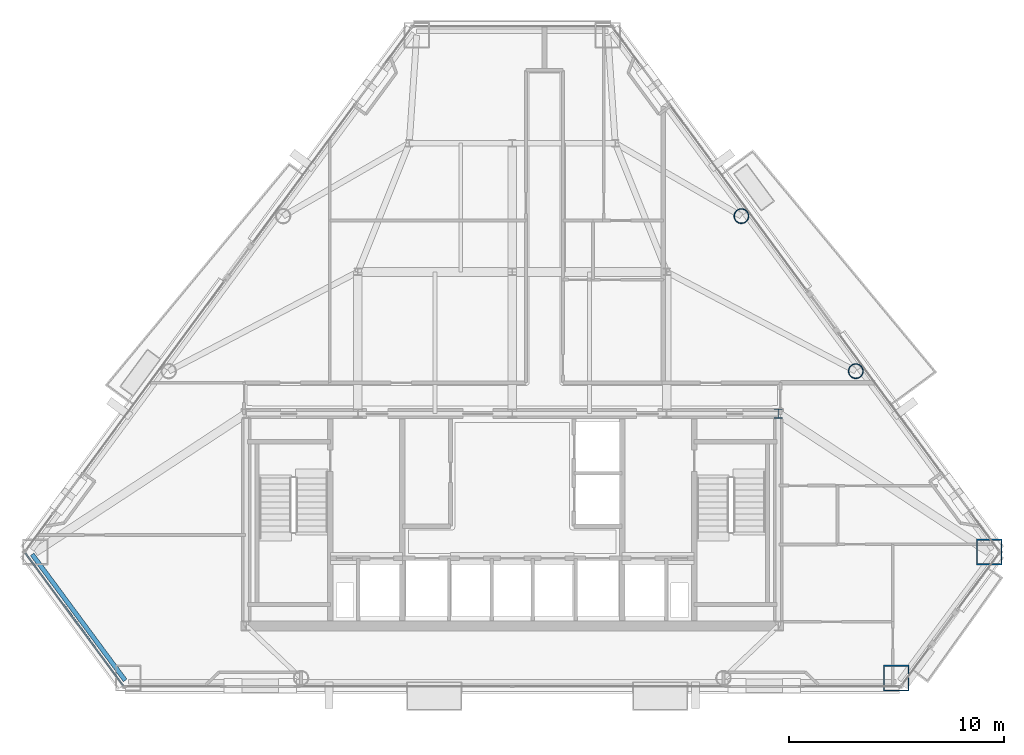
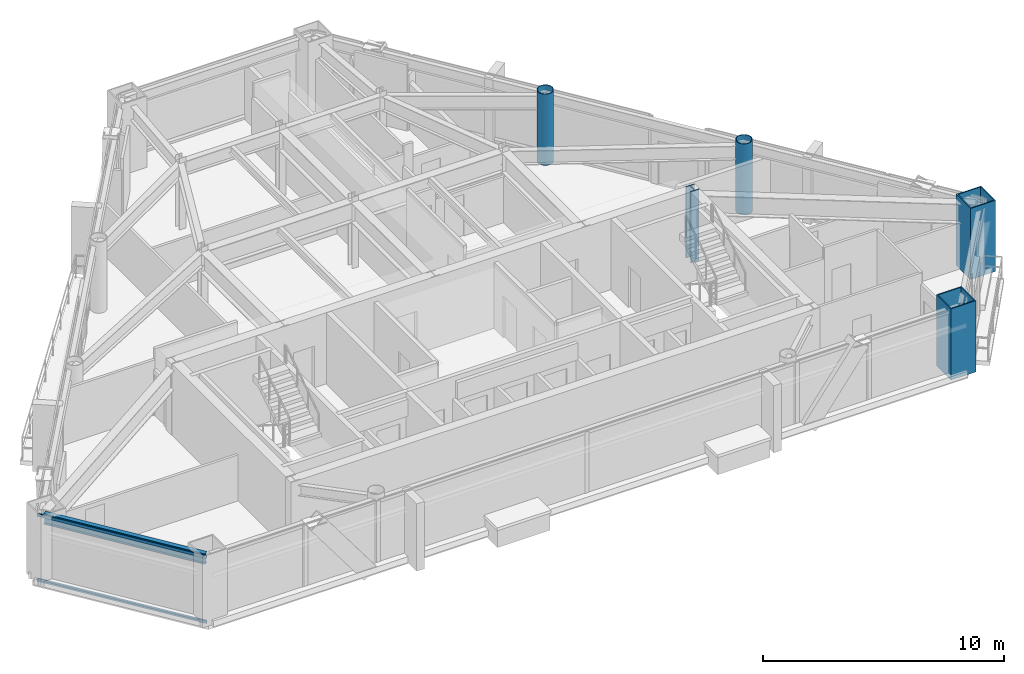
# One storey, part 2 of 11: 5 columns, 2 members, 1 beam, 1 element without a shape of its own.
"""IFC4 building model written with IfcOpenShell, lengths in metres."""

from ifc_helpers import new_model, si_unit, direction, frame, origin, origin_2d, place, context, subcontext, project, spatial, rectangle, hollow_rectangle, hollow_circle, i_section, extrude, material, layer, layer_set, material_profile, profile_set, type_object, element, aggregate, save


model = new_model("IFC4")

# Units and contexts
model_context = context("Model", 3, precision=1e-05, world=origin(), true_north=direction((0.0, 1.0)))
body_context = subcontext(model_context, "Body", "Model", "MODEL_VIEW")
ifc_project = project(units=[si_unit("LENGTHUNIT", "METRE"), si_unit("AREAUNIT", "SQUARE_METRE"), si_unit("VOLUMEUNIT", "CUBIC_METRE"), si_unit("PLANEANGLEUNIT", "RADIAN"), si_unit("MASSUNIT", "GRAM", prefix="KILO")], contexts=[model_context])

# Site, building, storey
site_placement = place(None, origin())
site = spatial("IfcSite", under=ifc_project, at=site_placement, CompositionType="ELEMENT")
building_placement = place(site_placement, origin())
building = spatial("IfcBuilding", under=site, at=building_placement, Name="Talgorran Terracotta Tower", CompositionType="ELEMENT")
storey_placement = place(building_placement, frame((0.0, 0.0, 161.699951171875)))
storey = spatial("IfcBuildingStorey", under=building, at=storey_placement, Name="L42", CompositionType="ELEMENT", Elevation=161.699951171875)

# Columns
ifc_material_1 = material(Name="Steel S355 (300PLUS)", Category="steel")
ifc_material_profile_1 = material_profile(ifc_material_1, i_section(OverallWidth=0.39990234375, OverallDepth=0.43994140625, WebThickness=0.028076171875, FlangeThickness=0.0400390625, at=origin_2d()), Name="400WC328")
ifc_profile_set_1 = profile_set([ifc_material_profile_1], Name="Steel S355 (300PLUS)")
column_type_1 = type_object("IfcColumnType", Name="COL_400WC328", PredefinedType="COLUMN", material=ifc_profile_set_1)
column_placement = place(storey_placement, frame((12.39990234375, -4.199951171875, 0.0), z_axis=(0.0, 0.0, 1.0), x_axis=(1.0, 0.0, 0.0)))
element("IfcColumn", 1, at=column_placement, inside=storey, type_object=column_type_1, Name="L42 Core Boundary Column CC3", PredefinedType="COLUMN", context=body_context, shape_type="SweptSolid", body=[
    extrude(i_section(OverallWidth=0.39990234375, OverallDepth=0.43994140625, WebThickness=0.028076171875, FlangeThickness=0.0400390625, at=origin_2d()), origin(), (0.0, 0.0, 1.0), 3.60009765625),
])
ifc_material_2 = material(Name="Steel Grade 350 (350L0)", Category="steel")
ifc_material_profile_2 = material_profile(ifc_material_2, hollow_rectangle(XDim=1.199951171875, YDim=1.199951171875, WallThickness=0.054931640625, at=origin_2d()), Name="CFT1200X1200X55")
ifc_profile_set_2 = profile_set([ifc_material_profile_2], Name="Steel Grade 350 (350L0)")
column_type_2 = type_object("IfcColumnType", Name="COL_CFT_1200", PredefinedType="COLUMN", material=ifc_profile_set_2)
for number, where, z_axis, x_axis, name in (
    (2, (17.898193359375, -16.530029296875, 0.0), (0.0, 0.0, 1.0), (1.0, 0.0, 0.0), "L42 Corner CFT Mega-Column MC3"),
    (3, (22.234130859375, -10.654541015625, 0.0), (0.0, 0.0, 1.0), (1.0, 0.0, 0.0), "L42 Corner CFT Mega-Column MC4"),
):
    element("IfcColumn", number, at=place(storey_placement, frame(where, z_axis=z_axis, x_axis=x_axis)), inside=storey, type_object=column_type_2, Name=name, PredefinedType="COLUMN", context=body_context, shape_type="SweptSolid", body=[
        extrude(hollow_rectangle(XDim=1.199951171875, YDim=1.199951171875, WallThickness=0.054931640625, at=origin_2d()), origin(), (0.0, 0.0, 1.0), 3.60009765625),
    ])
ifc_material_profile_3 = material_profile(ifc_material_2, hollow_circle(Radius=0.35009765625, WallThickness=0.030029296875, at=origin_2d()), Name="CHS700X30")
ifc_profile_set_3 = profile_set([ifc_material_profile_3], Name="Steel Grade 350 (350L0)")
column_type_3 = type_object("IfcColumnType", Name="COL_CHS_700", PredefinedType="COLUMN", material=ifc_profile_set_3)
for number, where, z_axis, x_axis, name in (
    (4, (16.01220703125, -2.223388671875, 0.0), (0.0, 0.0, 1.0), (1.0, 0.0, 0.0), "L42 Facet Perimeter Column FC3"),
    (5, (10.67919921875, 5.00341796875, 0.0), (0.0, 0.0, 1.0), (1.0, 0.0, 0.0), "L42 Facet Perimeter Column FC4"),
):
    element("IfcColumn", number, at=place(storey_placement, frame(where, z_axis=z_axis, x_axis=x_axis)), inside=storey, type_object=column_type_3, Name=name, PredefinedType="COLUMN", context=body_context, shape_type="SweptSolid", body=[
        extrude(hollow_circle(Radius=0.35009765625, WallThickness=0.030029296875, at=origin_2d()), origin(), (0.0, 0.0, 1.0), 3.60009765625),
    ])

# Beam
ifc_material_profile_4 = material_profile(ifc_material_1, i_section(OverallWidth=0.209228515625, OverallDepth=0.532958984375, WebThickness=0.01025390625, FlangeThickness=0.015625, at=origin_2d()), Name="530UB92.4")
ifc_profile_set_4 = profile_set([ifc_material_profile_4], Name="Steel S355 (300PLUS)")
beam_type = type_object("IfcBeamType", Name="BM_SP_530UB92", PredefinedType="SPANDREL", material=ifc_profile_set_4)
beam_placement = place(storey_placement, frame((-22.37890625, -10.761474609375, 3.08349609375), z_axis=(0.593765719161, -0.804637974961, 0.0), x_axis=(0.804637974961, 0.593765719161, 0.0)))
element("IfcBeam", 6, at=beam_placement, inside=storey, type_object=beam_type, Name="L42 Perimeter Spandrel Beam MC1-MC2", PredefinedType="SPANDREL", context=body_context, shape_type="SweptSolid", body=[
    extrude(i_section(OverallWidth=0.209228515625, OverallDepth=0.532958984375, WebThickness=0.01025390625, FlangeThickness=0.015625, at=origin_2d()), origin(), (0.0, 0.0, 1.0), 7.302001953125),
])

# Curtain wall, members
ifc_material_3 = material(Name="Unitised Low-E Double Glazing", Category="glass")
ifc_layer = layer(ifc_material_3, 0.199951171875, Name="CW_SYS2_RES_LOW")
ifc_layer_set = layer_set([ifc_layer], Name="Unitised Low-E Double Glazing")
curtain_wall_type = type_object("IfcCurtainWallType", Name="CW_SYS2_RES_LOW", PredefinedType="NOTDEFINED", material=ifc_layer_set)
curtain_wall_placement = place(storey_placement, origin())
curtain_wall = element("IfcCurtainWall", 7, at=curtain_wall_placement, inside=storey, type_object=curtain_wall_type, Name="CW-L42-F0", PredefinedType="NOTDEFINED")
ifc_material_4 = material(Name="Architectural Aluminium 6063-T6", Category="aluminium")
ifc_material_profile_5 = material_profile(ifc_material_4, rectangle(XDim=0.06494140625, YDim=0.14990234375, at=origin_2d()), Name="CWT65X150")
ifc_profile_set_5 = profile_set([ifc_material_profile_5], Name="Architectural Aluminium 6063-T6")
member_type = type_object("IfcMemberType", Name="TRN_65X150", PredefinedType="USERDEFINED", material=ifc_profile_set_5)
member_1_placement = place(storey_placement, frame((-22.692626953125, -10.706787109375, 0.032470703125), z_axis=(0.593767901325, -0.804636364674, 0.0), x_axis=(0.804636364674, 0.593767901325, 0.0)))
member_1 = element("IfcMember", 8, at=member_1_placement, type_object=member_type, Name="CW-L42-0 transom 1.1", ObjectType="TRANSOM", PredefinedType="USERDEFINED", context=body_context, shape_type="SweptSolid", body=[
    extrude(rectangle(XDim=0.06494140625, YDim=0.14990234375, at=origin_2d()), origin(), (0.0, 0.0, 1.0), 7.669189453125),
])
member_2_placement = place(storey_placement, frame((-22.692626953125, -10.706787109375, 3.317626953125), z_axis=(0.593767901325, -0.804636364674, 0.0), x_axis=(0.804636364674, 0.593767901325, 0.0)))
member_2 = element("IfcMember", 9, at=member_2_placement, type_object=member_type, Name="CW-L42-0 transom 1.2", ObjectType="TRANSOM", PredefinedType="USERDEFINED", context=body_context, shape_type="SweptSolid", body=[
    extrude(rectangle(XDim=0.06494140625, YDim=0.14990234375, at=origin_2d()), origin(), (0.0, 0.0, 1.0), 7.669189453125),
])
aggregate(curtain_wall, [member_1, member_2])

save(model, "model.ifc")
